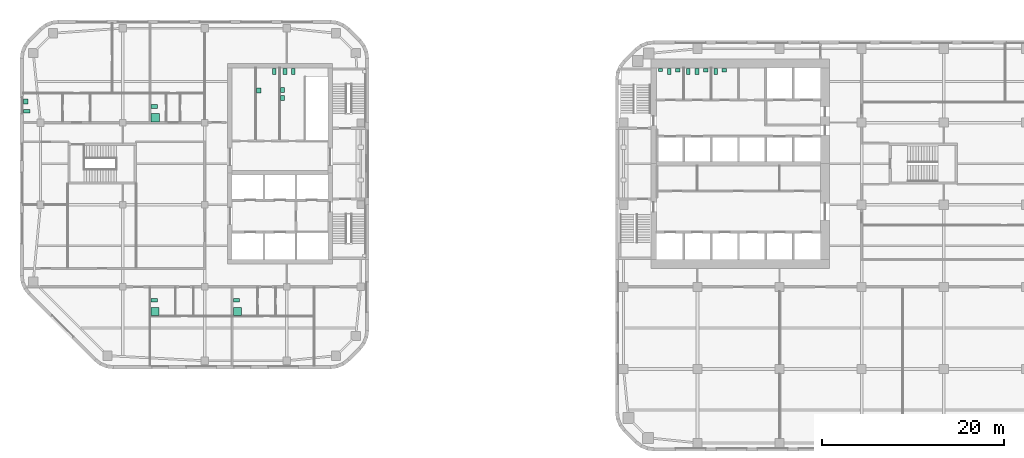
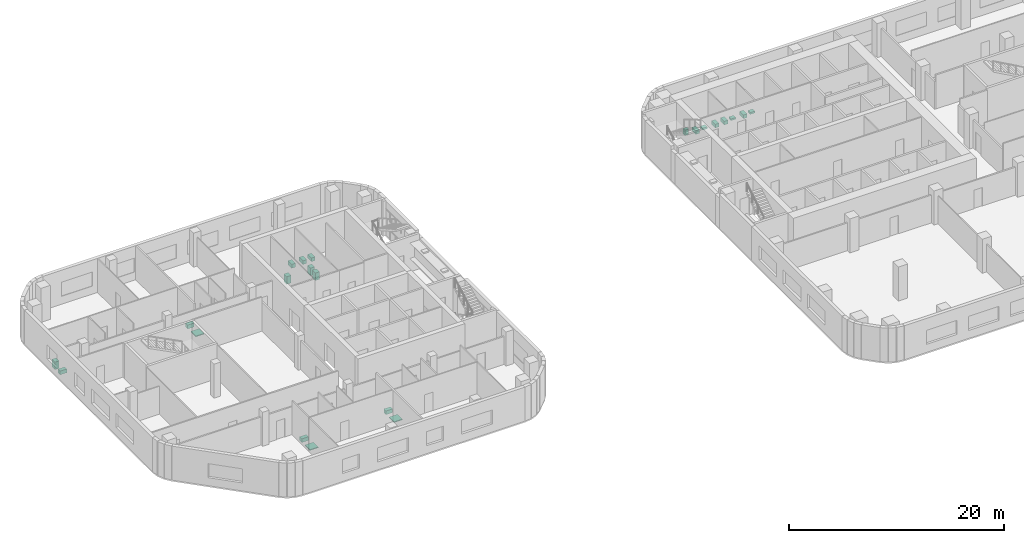
# One storey, part 15 of 15: 22 sanitary terminals.
"""IFC4 building model written with IfcOpenShell, lengths in metres."""

import ifcopenshell
import ifcopenshell.guid

model = None  # the IFC model being written
_history = None  # IfcOwnerHistory: only IFC2X3 demands one
_inside = {}  # id of a spatial element -> (the spatial element, [elements in it])
_under = {}  # id of a project, library or spatial element -> (it, [spatial elements below it])
_declared = {}  # id of a project -> (the project, [libraries it declares])
_typed = {}  # id of a type object -> (the type object, [elements of that type])
_made_of = {}  # id of a material, layer set ... -> (it, [elements and type objects made of it])


def new_model(schema):
    """Start an empty IFC model of exactly this schema.

    Asked for "IFC4X3", IfcOpenShell would pick the latest addendum, in which some entities
    have other attributes; the version numbers below select the first issue.
    IFC2X3 requires an IfcOwnerHistory on every rooted entity: one is made here for all.
    """
    global model, _history
    if schema == "IFC4X3":
        model = ifcopenshell.file(schema_version=(4, 3, 0, 0))
    else:
        model = ifcopenshell.file(schema=schema)
    _inside.clear()
    _under.clear()
    _declared.clear()
    _typed.clear()
    _made_of.clear()
    _history = None
    if model.schema == "IFC2X3":
        org = make("IfcOrganization", Name="unknown")
        user = make(
            "IfcPersonAndOrganization",
            ThePerson=make("IfcPerson", FamilyName="unknown"),
            TheOrganization=org,
        )
        app = make(
            "IfcApplication",
            ApplicationDeveloper=org,
            Version="unknown",
            ApplicationFullName="unknown",
            ApplicationIdentifier="unknown",
        )
        _history = make(
            "IfcOwnerHistory",
            OwningUser=user,
            OwningApplication=app,
            ChangeAction="ADDED",
            CreationDate=0,
        )
    return model


def make(cls, **values):
    """One entity of the class cls with the attributes given. An attribute that is None is left unset."""
    return model.create_entity(
        cls, **{name: value for name, value in values.items() if value is not None}
    )


def rooted(cls, **values):
    """An entity with a GlobalId (a new one), such as an element, a storey or a relation."""
    return make(cls, GlobalId=ifcopenshell.guid.new(), OwnerHistory=_history, **values)


def si_unit(unit_type, name, prefix=None):
    """IfcSIUnit, for example si_unit("LENGTHUNIT", "METRE", prefix="MILLI")."""
    return make("IfcSIUnit", UnitType=unit_type, Prefix=prefix, Name=name)


def assignment(units):
    """IfcUnitAssignment: the units of a project."""
    return None if units is None else make("IfcUnitAssignment", Units=units)


def point(xyz):
    """IfcCartesianPoint."""
    return None if xyz is None else make("IfcCartesianPoint", Coordinates=xyz)


def direction(xyz):
    """IfcDirection."""
    return None if xyz is None else make("IfcDirection", DirectionRatios=xyz)


def frame(location, z_axis=None, x_axis=None):
    """IfcAxis2Placement3D, a coordinate frame: its origin and axes. An axis left out is left unset."""
    return make(
        "IfcAxis2Placement3D",
        Location=point(location),
        Axis=direction(z_axis),
        RefDirection=direction(x_axis),
    )


def frame_2d(location, x_axis=None):
    """IfcAxis2Placement2D, a coordinate frame in the plane: its origin and x axis."""
    return make(
        "IfcAxis2Placement2D", Location=point(location), RefDirection=direction(x_axis)
    )


def origin():
    """The frame at (0, 0, 0) with its axes left unset."""
    return frame((0.0, 0.0, 0.0))


def origin_2d():
    """The frame at (0, 0) in the plane with its x axis left unset."""
    return frame_2d((0.0, 0.0))


def place(relative_to, where):
    """IfcLocalPlacement: puts the frame where relative to a parent placement (None: the world)."""
    return make(
        "IfcLocalPlacement", PlacementRelTo=relative_to, RelativePlacement=where
    )


def context(
    kind, dimensions, precision=None, world=None, true_north=None, identifier=None
):
    """IfcGeometricRepresentationContext, for example the 3D "Model" context."""
    return make(
        "IfcGeometricRepresentationContext",
        ContextIdentifier=identifier,
        ContextType=kind,
        CoordinateSpaceDimension=dimensions,
        Precision=precision,
        WorldCoordinateSystem=world,
        TrueNorth=true_north,
    )


def subcontext(parent, identifier, kind, view, scale=None):
    """IfcGeometricRepresentationSubContext, for example "Body" below "Model"."""
    return make(
        "IfcGeometricRepresentationSubContext",
        ContextIdentifier=identifier,
        ContextType=kind,
        ParentContext=parent,
        TargetScale=scale,
        TargetView=view,
    )


def project(units=None, contexts=None):
    """IfcProject with its units and contexts."""
    return rooted(
        "IfcProject",
        Name="project",
        RepresentationContexts=contexts,
        UnitsInContext=assignment(units),
    )


def spatial(cls, under=None, at=None, **own):
    """A site, building, storey or space (cls), placed at a placement, below another one or the project."""
    s = rooted(cls, ObjectPlacement=at, **own)
    if under is not None:
        _under.setdefault(under.id(), (under, []))[1].append(s)
    return s


def profile(cls, at=None, kind="AREA", **sizes):
    """A parametric profile (cls). Its sizes go by their IFC names, for example OverallWidth=200.0."""
    return make(cls, ProfileType=kind, Position=at, **sizes)


def rectangle(**sizes):
    """IfcRectangleProfileDef."""
    return profile("IfcRectangleProfileDef", **sizes)


def extrude(swept, where, along, depth):
    """IfcExtrudedAreaSolid: the profile swept, set in the frame where, extruded along a direction by depth."""
    return make(
        "IfcExtrudedAreaSolid",
        SweptArea=swept,
        Position=where,
        ExtrudedDirection=direction(along),
        Depth=depth,
    )


def shape(context_of_items, identifier, shape_type, items):
    """IfcShapeRepresentation: the items that make up one representation, for example the "Body"."""
    return make(
        "IfcShapeRepresentation",
        ContextOfItems=context_of_items,
        RepresentationIdentifier=identifier,
        RepresentationType=shape_type,
        Items=items,
    )


def material(Name=None, Category=None):
    """IfcMaterial."""
    return make("IfcMaterial", Name=Name, Category=Category)


def made_of(thing, what):
    """Note that an element or type object is made of a material, layer set ...; save() writes the relation."""
    if what is not None:
        _made_of.setdefault(what.id(), (what, []))[1].append(thing)
    return thing


def type_object(cls, material=None, **own):
    """A type object (cls), such as IfcWallType, which elements share."""
    return made_of(rooted(cls, **own), material)


def element(
    cls,
    number,
    at=None,
    inside=None,
    cuts=None,
    type_object=None,
    material=None,
    context=None,
    identifier="Body",
    shape_type=None,
    held_by="IfcProductDefinitionShape",
    body=None,
    shapes=None,
    **own,
):
    """One element of the class cls, such as IfcWall. Its Tag is "e" and its number.

    at: its placement. inside: the storey or other place that contains it. cuts: it is an
    opening in that element (IfcRelVoidsElement). A single representation is given by context,
    identifier, shape_type and body (its items); several are given by shapes. held_by: the class
    of the entity that holds the representations. save() writes the other relations.
    """
    e = rooted(cls, Tag="e%d" % number, ObjectPlacement=at, **own)
    if body is not None:
        shapes = [shape(context, identifier, shape_type, body)]
    if shapes is not None:
        e.Representation = make(held_by, Representations=shapes)
    if inside is not None:
        _inside.setdefault(inside.id(), (inside, []))[1].append(e)
    if cuts is not None:
        rooted(
            "IfcRelVoidsElement", RelatingBuildingElement=cuts, RelatedOpeningElement=e
        )
    if type_object is not None:
        _typed.setdefault(type_object.id(), (type_object, []))[1].append(e)
    return made_of(e, material)


def aggregate(whole, parts):
    """IfcRelAggregates: a whole, such as a stair, and the parts it consists of."""
    return rooted("IfcRelAggregates", RelatingObject=whole, RelatedObjects=parts)


def save(model, path):
    """Write the relations noted so far, then the file.

    IfcRelAggregates (storeys below a building ...), IfcRelContainedInSpatialStructure (elements
    in a storey), IfcRelDefinesByType, IfcRelAssociatesMaterial and IfcRelDeclares: one each for
    every whole, place, type object, material and project.
    """
    for whole, parts in _under.values():
        aggregate(whole, parts)
    for where, things in _inside.values():
        rooted(
            "IfcRelContainedInSpatialStructure",
            RelatedElements=things,
            RelatingStructure=where,
        )
    for kind, things in _typed.values():
        rooted("IfcRelDefinesByType", RelatedObjects=things, RelatingType=kind)
    for what, things in _made_of.values():
        rooted("IfcRelAssociatesMaterial", RelatedObjects=things, RelatingMaterial=what)
    for by, libraries in _declared.values():
        rooted("IfcRelDeclares", RelatingContext=by, RelatedDefinitions=libraries)
    model.write(path)


model = new_model("IFC4")

# Units and contexts
model_context = context("Model", 3, precision=1e-05, world=origin(), true_north=direction((0.0, 1.0)))
body_context = subcontext(model_context, "Body", "Model", "MODEL_VIEW")
ifc_project = project(units=[si_unit("LENGTHUNIT", "METRE"), si_unit("AREAUNIT", "SQUARE_METRE"), si_unit("VOLUMEUNIT", "CUBIC_METRE"), si_unit("PLANEANGLEUNIT", "RADIAN"), si_unit("MASSUNIT", "GRAM", prefix="KILO")], contexts=[model_context])

# Site, building, storey
site_placement = place(None, origin())
site = spatial("IfcSite", under=ifc_project, at=site_placement, CompositionType="ELEMENT")
building_placement = place(site_placement, origin())
building = spatial("IfcBuilding", under=site, at=building_placement, Name="Cinnabar Reach Civic Tower", CompositionType="ELEMENT")
storey_placement = place(building_placement, frame((0.0, 0.0, 67.0)))
storey = spatial("IfcBuildingStorey", under=building, at=storey_placement, Name="L15", CompositionType="ELEMENT", Elevation=67.0)

# Sanitary terminals
ifc_material_1 = material(Name="Vitreous china")
sanitary_terminal_type_1 = type_object("IfcSanitaryTerminalType", Name="T1 WC pan", PredefinedType="TOILETPAN", material=ifc_material_1)
for number, where, z_axis, x_axis, name in (
    (1, (5.9, 41.6, 0.0), (0.0, 0.0, 1.0), (1.0, 0.0, 0.0), "T1 WC pan 1507-2"),
    (2, (8.0, 41.6, 0.0), (0.0, 0.0, 1.0), (1.0, 0.0, 0.0), "T1 WC pan 1508-1"),
    (3, (8.95, 41.6, 0.0), (0.0, 0.0, 1.0), (1.0, 0.0, 0.0), "T1 WC pan 1508-2"),
    (4, (11.0, 41.6, 0.0), (0.0, 0.0, 1.0), (1.0, 0.0, 0.0), "T1 WC pan 1509-1"),
):
    element("IfcSanitaryTerminal", number, at=place(storey_placement, frame(where, z_axis=z_axis, x_axis=x_axis)), inside=storey, type_object=sanitary_terminal_type_1, Name=name, PredefinedType="TOILETPAN", context=body_context, shape_type="SweptSolid", body=[
        extrude(rectangle(XDim=0.4, YDim=0.7, at=origin_2d()), origin(), (0.0, 0.0, 1.0), 0.4),
    ])
sanitary_terminal_type_2 = type_object("IfcSanitaryTerminalType", Name="T1 urinal", PredefinedType="URINAL", material=ifc_material_1)
sanitary_terminal_placement = place(storey_placement, frame((4.95, 41.775, 0.0), z_axis=(0.0, 0.0, 1.0), x_axis=(1.0, 0.0, 0.0)))
element("IfcSanitaryTerminal", 5, at=sanitary_terminal_placement, inside=storey, type_object=sanitary_terminal_type_2, Name="T1 urinal 1507-1", PredefinedType="URINAL", context=body_context, shape_type="SweptSolid", body=[
    extrude(rectangle(XDim=0.4, YDim=0.35, at=origin_2d()), origin(), (0.0, 0.0, 1.0), 0.6),
])
sanitary_terminal_type_3 = type_object("IfcSanitaryTerminalType", Name="T1 wash basin", PredefinedType="WASHHANDBASIN", material=ifc_material_1)
for number, where, z_axis, x_axis, name in (
    (6, (6.85, 41.74, 0.0), (0.0, 0.0, 1.0), (1.0, 0.0, 0.0), "T1 wash basin 1507-3"),
    (7, (9.9, 41.74, 0.0), (0.0, 0.0, 1.0), (1.0, 0.0, 0.0), "T1 wash basin 1508-3"),
    (8, (11.95, 41.74, 0.0), (0.0, 0.0, 1.0), (1.0, 0.0, 0.0), "T1 wash basin 1509-2"),
):
    element("IfcSanitaryTerminal", number, at=place(storey_placement, frame(where, z_axis=z_axis, x_axis=x_axis)), inside=storey, type_object=sanitary_terminal_type_3, Name=name, PredefinedType="WASHHANDBASIN", context=body_context, shape_type="SweptSolid", body=[
        extrude(rectangle(XDim=0.5, YDim=0.42, at=origin_2d()), origin(), (0.0, 0.0, 1.0), 0.2),
    ])
ifc_material_2 = material(Name="Acrylic tray")
sanitary_terminal_type_4 = type_object("IfcSanitaryTerminalType", Name="T2 Shower tray", PredefinedType="SHOWER", material=ifc_material_2)
for number, where, z_axis, x_axis, name in (
    (9, (-50.45, 15.3, 0.0), (0.0, 0.0, 1.0), (1.0, 0.0, 0.0), "Shower tray"),
    (10, (-41.425, 15.3, 0.0), (0.0, 0.0, 1.0), (1.0, 0.0, 0.0), "Shower tray"),
    (11, (-50.425, 36.525, 0.0), (0.0, 0.0, 1.0), (1.0, 0.0, 0.0), "Shower tray"),
):
    element("IfcSanitaryTerminal", number, at=place(storey_placement, frame(where, z_axis=z_axis, x_axis=x_axis)), inside=storey, type_object=sanitary_terminal_type_4, Name=name, PredefinedType="SHOWER", context=body_context, shape_type="SweptSolid", body=[
        extrude(rectangle(XDim=0.9, YDim=0.9, at=origin_2d()), origin(), (0.0, 0.0, 1.0), 0.1),
    ])
sanitary_terminal_type_5 = type_object("IfcSanitaryTerminalType", Name="T2 WC pan", PredefinedType="TOILETPAN", material=ifc_material_1)
for number, where, z_axis, x_axis, name in (
    (12, (-37.4, 41.6, 0.0), (0.0, 0.0, 1.0), (1.0, 0.0, 0.0), "WC pan"),
    (13, (-36.2, 41.6, 0.0), (0.0, 0.0, 1.0), (1.0, 0.0, 0.0), "WC pan"),
    (14, (-35.3, 41.6, 0.0), (0.0, 0.0, 1.0), (1.0, 0.0, 0.0), "WC pan"),
):
    element("IfcSanitaryTerminal", number, at=place(storey_placement, frame(where, z_axis=z_axis, x_axis=x_axis)), inside=storey, type_object=sanitary_terminal_type_5, Name=name, PredefinedType="TOILETPAN", context=body_context, shape_type="SweptSolid", body=[
        extrude(rectangle(XDim=0.4, YDim=0.7, at=origin_2d()), origin(), (0.0, 0.0, 1.0), 0.42),
    ])
for number, where, z_axis, x_axis, name in (
    (15, (-50.55, 16.55, 0.0), (0.0, 0.0, 1.0), (1.0, 0.0, 0.0), "WC pan"),
    (16, (-41.525, 16.55, 0.0), (0.0, 0.0, 1.0), (1.0, 0.0, 0.0), "WC pan"),
    (17, (-64.49, 37.25, 0.0), (0.0, 0.0, 1.0), (1.0, 0.0, 0.0), "WC pan"),
    (18, (-50.525, 37.775, 0.0), (0.0, 0.0, 1.0), (1.0, 0.0, 0.0), "WC pan"),
):
    element("IfcSanitaryTerminal", number, at=place(storey_placement, frame(where, z_axis=z_axis, x_axis=x_axis)), inside=storey, type_object=sanitary_terminal_type_5, Name=name, PredefinedType="TOILETPAN", context=body_context, shape_type="SweptSolid", body=[
        extrude(rectangle(XDim=0.7, YDim=0.4, at=origin_2d()), origin(), (0.0, 0.0, 1.0), 0.42),
    ])
sanitary_terminal_type_6 = type_object("IfcSanitaryTerminalType", Name="T2 Wash basin", PredefinedType="WASHHANDBASIN", material=ifc_material_1)
for number, where, z_axis, x_axis, name in (
    (19, (-39.075, 39.5, 0.0), (0.0, 0.0, 1.0), (1.0, 0.0, 0.0), "Wash basin"),
    (20, (-36.475, 39.6, 0.0), (0.0, 0.0, 1.0), (1.0, 0.0, 0.0), "Wash basin"),
    (21, (-36.475, 38.7, 0.0), (0.0, 0.0, 1.0), (1.0, 0.0, 0.0), "Wash basin"),
    (22, (-64.615, 38.3, 0.0), (0.0, 0.0, 1.0), (1.0, 0.0, 0.0), "Wash basin"),
):
    element("IfcSanitaryTerminal", number, at=place(storey_placement, frame(where, z_axis=z_axis, x_axis=x_axis)), inside=storey, type_object=sanitary_terminal_type_6, Name=name, PredefinedType="WASHHANDBASIN", context=body_context, shape_type="SweptSolid", body=[
        extrude(rectangle(XDim=0.45, YDim=0.55, at=origin_2d()), origin(), (0.0, 0.0, 1.0), 0.85),
    ])

save(model, "model.ifc")
